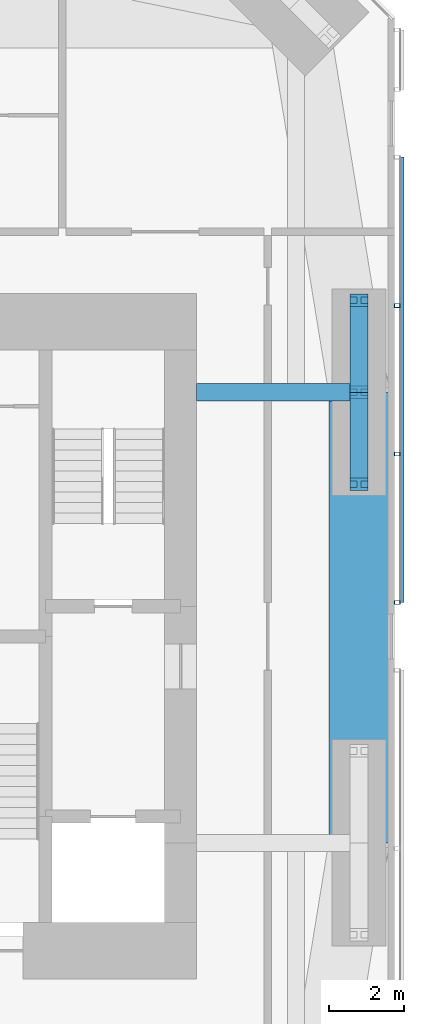
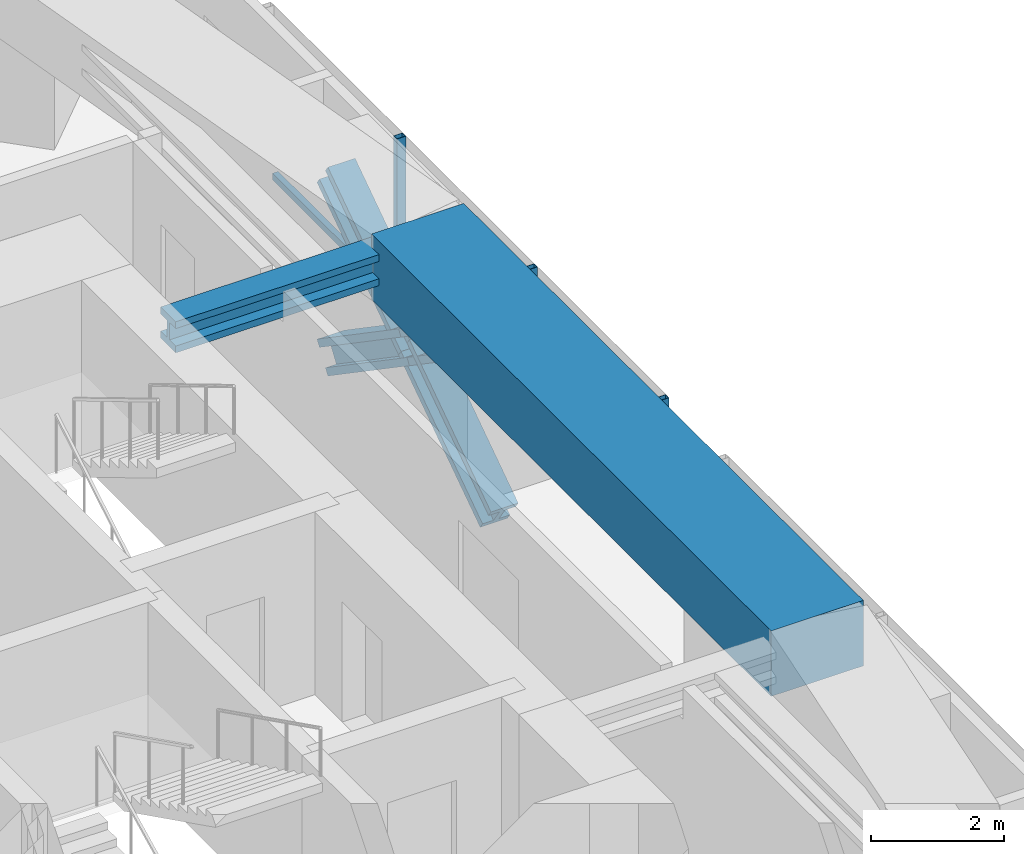
# One storey, part 9 of 23: 8 members, 2 beams, 1 element without a shape of its own.
"""IFC4 building model written with IfcOpenShell, lengths in metres."""

from ifc_helpers import new_model, si_unit, direction, frame, origin, origin_2d, place, context, subcontext, project, spatial, rectangle, hollow_rectangle, i_section, extrude, material, material_profile, profile_set, type_object, element, aggregate, save


model = new_model("IFC4")

# Units and contexts
model_context = context("Model", 3, precision=1e-05, world=origin(), true_north=direction((0.0, 1.0)))
body_context = subcontext(model_context, "Body", "Model", "MODEL_VIEW")
ifc_project = project(units=[si_unit("LENGTHUNIT", "METRE"), si_unit("AREAUNIT", "SQUARE_METRE"), si_unit("VOLUMEUNIT", "CUBIC_METRE"), si_unit("PLANEANGLEUNIT", "RADIAN"), si_unit("MASSUNIT", "GRAM", prefix="KILO")], contexts=[model_context])

# Site, building, storey
site_placement = place(None, origin())
site = spatial("IfcSite", under=ifc_project, at=site_placement, CompositionType="ELEMENT")
building_placement = place(site_placement, origin())
building = spatial("IfcBuilding", under=site, at=building_placement, Name="Jalousie Tower", CompositionType="ELEMENT")
storey_placement = place(building_placement, frame((0.0, 0.0, 104.85009765625)))
storey = spatial("IfcBuildingStorey", under=building, at=storey_placement, Name="L28", CompositionType="ELEMENT", Elevation=104.85009765625)

# Beam
ifc_material_1 = material(Name="Steel ASTM A992 Grade 50", Category="steel")
ifc_material_profile_1 = material_profile(ifc_material_1, i_section(OverallWidth=0.45458984375, OverallDepth=0.569091796875, WebThickness=0.077880859375, FlangeThickness=0.124755859375, at=origin_2d()), Name="W14X730")
ifc_profile_set_1 = profile_set([ifc_material_profile_1], Name="Steel ASTM A992 Grade 50")
beam_type_1 = type_object("IfcBeamType", Name="LEAN COLLECTOR W14X730", PredefinedType="BEAM", material=ifc_profile_set_1)
beam_1_placement = place(storey_placement, frame((48.550048828125, 25.0, 2.825439453125), z_axis=(-1.0, 0.0, 0.0), x_axis=(0.0, -1.0, 0.0)))
element("IfcBeam", 1, at=beam_1_placement, inside=storey, type_object=beam_type_1, Name="Lean collector under L29", PredefinedType="BEAM", context=body_context, shape_type="SweptSolid", body=[
    extrude(i_section(OverallWidth=0.45458984375, OverallDepth=0.569091796875, WebThickness=0.077880859375, FlangeThickness=0.124755859375, at=origin_2d()), origin(), (0.0, 0.0, 1.0), 4.324951171875),
])

# Members
ifc_material_2 = material(Name="Steel ASTM A992 Grade 50", Category="steel")
ifc_material_profile_2 = material_profile(ifc_material_2, i_section(OverallWidth=0.472412109375, OverallDepth=0.5791015625, WebThickness=0.094970703125, FlangeThickness=0.1298828125, at=origin_2d()), Name="W14X808")
ifc_profile_set_2 = profile_set([ifc_material_profile_2], Name="Steel ASTM A992 Grade 50")
member_type_1 = type_object("IfcMemberType", Name="PERIMETER BRACE W14X808", PredefinedType="BRACE", material=ifc_profile_set_2)
for number, where, z_axis, x_axis, name in (
    (2, (48.550048828125, 22.550048828125, -0.60009765625), (0.0, 0.825500916831, 0.564400776321), (-1.0, 0.0, 0.0), "Perimeter brace 07 L28 part 1"),
    (3, (48.550048828125, 25.0, 1.074951171875), (0.0, 0.825500916831, 0.564400776321), (-1.0, 0.0, 0.0), "Perimeter brace 07 L28 part 2"),
    (4, (48.550048828125, 27.449951171875, -0.60009765625), (0.0, -0.825500916831, 0.564400776321), (1.0, 0.0, 0.0), "Perimeter brace 07 L28 part 3"),
    (5, (48.550048828125, 25.0, 1.074951171875), (0.0, -0.825500916831, 0.564400776321), (1.0, 0.0, 0.0), "Perimeter brace 07 L28 part 4"),
):
    element("IfcMember", number, at=place(storey_placement, frame(where, z_axis=z_axis, x_axis=x_axis)), inside=storey, type_object=member_type_1, Name=name, PredefinedType="BRACE", context=body_context, shape_type="SweptSolid", body=[
        extrude(i_section(OverallWidth=0.472412109375, OverallDepth=0.5791015625, WebThickness=0.094970703125, FlangeThickness=0.1298828125, at=origin_2d()), origin(), (0.0, 0.0, 1.0), 2.9677734375),
    ])

# Beam
ifc_material_3 = material(Name="Concrete f'c 40 MPa", Category="concrete")
ifc_material_profile_3 = material_profile(ifc_material_3, rectangle(XDim=1.60009765625, YDim=1.199951171875, at=origin_2d()), Name="RC 1600x1200")
ifc_profile_set_3 = profile_set([ifc_material_profile_3], Name="Concrete f'c 40 MPa")
beam_type_2 = type_object("IfcBeamType", Name="RC BEAM 1600x1200", PredefinedType="BEAM", material=ifc_profile_set_3)
beam_2_placement = place(storey_placement, frame((48.550048828125, 13.0, 2.75), z_axis=(0.0, 1.0, 0.0), x_axis=(-1.0, 0.0, 0.0)))
element("IfcBeam", 6, at=beam_2_placement, inside=storey, type_object=beam_type_2, Name="Edge band beam 06-07 under L29", PredefinedType="BEAM", context=body_context, shape_type="SweptSolid", body=[
    extrude(rectangle(XDim=1.60009765625, YDim=1.199951171875, at=origin_2d()), origin(), (0.0, 0.0, 1.0), 12.0),
])

# Curtain wall, members
ifc_material_4 = material(Name="Perforated aluminium sheet", Category="aluminium")
curtain_wall_type = type_object("IfcCurtainWallType", Name="SOLAR SCREEN SS-1", PredefinedType="USERDEFINED", material=ifc_material_4)
curtain_wall_placement = place(storey_placement, origin())
curtain_wall = element("IfcCurtainWall", 7, at=curtain_wall_placement, inside=storey, type_object=curtain_wall_type, Name="Solar screen L28", ObjectType="SOLAR SCREEN SS-1", PredefinedType="USERDEFINED")
ifc_material_5 = material(Name="Steel ASTM A500 Grade C", Category="steel")
ifc_material_profile_4 = material_profile(ifc_material_5, hollow_rectangle(XDim=0.1015625, YDim=0.15234375, WallThickness=0.00634765625, at=origin_2d()), Name="HSS6X4X1/4")
ifc_profile_set_4 = profile_set([ifc_material_profile_4], Name="Steel ASTM A500 Grade C")
member_type_2 = type_object("IfcMemberType", Name="SOLAR SCREEN SS-1 MULLION", PredefinedType="MULLION", material=ifc_profile_set_4)
member_1_placement = place(storey_placement, frame((49.5712890625, 19.39990234375, -0.1201171875), z_axis=(0.0, 0.0, 1.0), x_axis=(0.0, 1.0, 0.0)))
member_1 = element("IfcMember", 8, at=member_1_placement, type_object=member_type_2, Name="SS1 post 1", PredefinedType="MULLION", context=body_context, shape_type="SweptSolid", body=[
    extrude(hollow_rectangle(XDim=0.1015625, YDim=0.15234375, WallThickness=0.00634765625, at=origin_2d()), origin(), (0.0, 0.0, 1.0), 3.22998046875),
])
member_2_placement = place(storey_placement, frame((49.5712890625, 23.35400390625, -0.1201171875), z_axis=(0.0, 0.0, 1.0), x_axis=(0.0, 1.0, 0.0)))
member_2 = element("IfcMember", 9, at=member_2_placement, type_object=member_type_2, Name="SS1 post 2", PredefinedType="MULLION", context=body_context, shape_type="SweptSolid", body=[
    extrude(hollow_rectangle(XDim=0.1015625, YDim=0.15234375, WallThickness=0.00634765625, at=origin_2d()), origin(), (0.0, 0.0, 1.0), 3.22998046875),
])
member_3_placement = place(storey_placement, frame((49.5712890625, 27.307861328125, -0.1201171875), z_axis=(0.0, 0.0, 1.0), x_axis=(0.0, 1.0, 0.0)))
member_3 = element("IfcMember", 10, at=member_3_placement, type_object=member_type_2, Name="SS1 post 3", PredefinedType="MULLION", context=body_context, shape_type="SweptSolid", body=[
    extrude(hollow_rectangle(XDim=0.1015625, YDim=0.15234375, WallThickness=0.00634765625, at=origin_2d()), origin(), (0.0, 0.0, 1.0), 3.22998046875),
])
ifc_material_6 = material(Name="Extruded aluminium screen rail", Category="aluminium")
ifc_material_profile_5 = material_profile(ifc_material_6, rectangle(XDim=0.1015625, YDim=0.1201171875, at=origin_2d()), Name="RAIL 102x120")
ifc_profile_set_5 = profile_set([ifc_material_profile_5], Name="Extruded aluminium screen rail")
member_type_3 = type_object("IfcMemberType", Name="SOLAR SCREEN SS-1 TRANSOM", PredefinedType="USERDEFINED", material=ifc_profile_set_5)
member_4_placement = place(storey_placement, frame((49.6982421875, 19.39990234375, -0.06005859375), z_axis=(0.0, 1.0, 0.0), x_axis=(-1.0, 0.0, 0.0)))
member_4 = element("IfcMember", 11, at=member_4_placement, type_object=member_type_3, Name="SS1 rail", ObjectType="TRANSOM", PredefinedType="USERDEFINED", context=body_context, shape_type="SweptSolid", body=[
    extrude(rectangle(XDim=0.1015625, YDim=0.1201171875, at=origin_2d()), origin(), (0.0, 0.0, 1.0), 11.862060546875),
])
aggregate(curtain_wall, [member_1, member_2, member_3, member_4])

save(model, "model.ifc")
